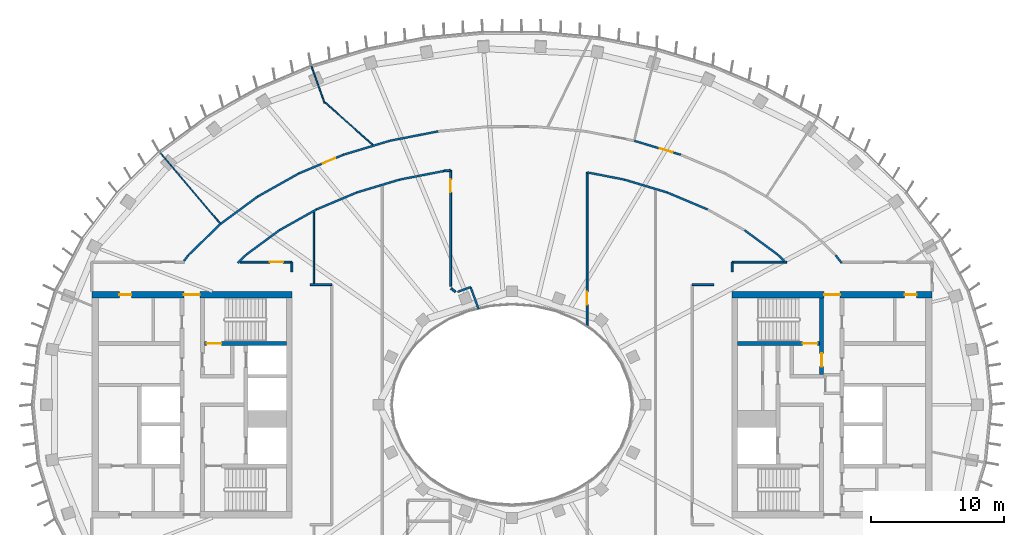
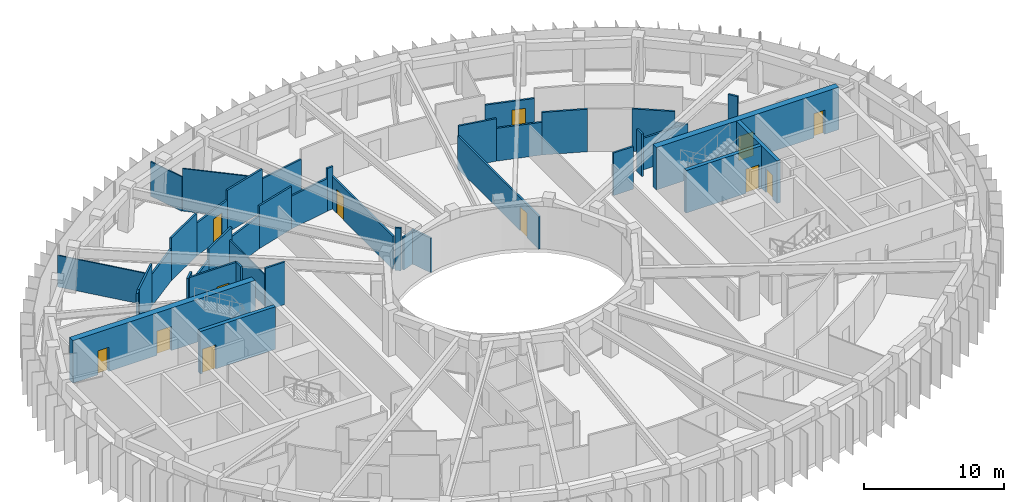
# One storey, part 6 of 13: 41 walls, 12 doors, 12 openings.
"""IFC4 building model written with IfcOpenShell, lengths in metres."""

from ifc_helpers import new_model, si_unit, direction, frame, frame_2d, origin, place, context, subcontext, project, spatial, rectangle, extrude, material, layer, layer_set, type_object, element, fill, save


model = new_model("IFC4")

# Units and contexts
model_context = context("Model", 3, precision=1e-05, world=origin(), true_north=direction((0.0, 1.0)))
body_context = subcontext(model_context, "Body", "Model", "MODEL_VIEW")
ifc_project = project(units=[si_unit("LENGTHUNIT", "METRE"), si_unit("AREAUNIT", "SQUARE_METRE"), si_unit("VOLUMEUNIT", "CUBIC_METRE"), si_unit("PLANEANGLEUNIT", "RADIAN"), si_unit("MASSUNIT", "GRAM", prefix="KILO")], contexts=[model_context])

# Site, building, storey
site_placement = place(None, origin())
site = spatial("IfcSite", under=ifc_project, at=site_placement, CompositionType="ELEMENT")
building_placement = place(site_placement, origin())
building = spatial("IfcBuilding", under=site, at=building_placement, Name="Noorbagh Ring Tower", CompositionType="ELEMENT")
storey_placement = place(building_placement, frame((0.0, 0.0, 327.0)))
storey = spatial("IfcBuildingStorey", under=building, at=storey_placement, Name="L71", CompositionType="ELEMENT", Elevation=327.0)

# Wall, opening, door
ifc_material_1 = material(Name="Concrete C50/60", Category="concrete")
ifc_layer_1 = layer(ifc_material_1, 0.300048828125)
ifc_layer_set_1 = layer_set([ifc_layer_1], Name="Concrete C50/60")
wall_type_1 = type_object("IfcWallType", Name="CORE-WALL-300-C50-60-EI240", PredefinedType="SHEAR", material=ifc_layer_set_1)
wall_1_placement = place(storey_placement, frame((-16.89990234375, 4.60009765625, 0.0), z_axis=(0.0, 0.0, 1.0), x_axis=(-1.0, 0.0, 0.0)))
wall_1 = element("IfcWall", 1, at=wall_1_placement, inside=storey, type_object=wall_type_1, Name="Core wall W", PredefinedType="SHEAR", context=body_context, shape_type="SweptSolid", body=[
    extrude(rectangle(XDim=6.18017578125, YDim=0.300048828125, at=frame_2d((3.090087890625, 0.0))), origin(), (0.0, 0.0, 1.0), 3.699951171875),
])
opening_1_placement = place(wall_1_placement, frame((4.89990234375, 0.0, 0.0)))
opening_1 = element("IfcOpeningElement", 2, at=opening_1_placement, cuts=wall_1, Name="Opening L71-CW05", PredefinedType="OPENING", context=body_context, shape_type="SweptSolid", body=[
    extrude(rectangle(XDim=1.10009765625, YDim=2.10009765625, at=frame_2d((0.550048828125, 1.050048828125))), frame((0.0, 0.16015625, 0.0), z_axis=(0.0, -1.0, 0.0), x_axis=(1.0, 0.0, 0.0)), (0.0, 0.0, 1.0), 0.320068359375),
])
ifc_material_2 = material(Name="Steel door leaf", Category="steel")
door_type_1 = type_object("IfcDoorType", Name="CORE-DOOR-DSTAIR", OperationType="SINGLE_SWING_LEFT", PredefinedType="DOOR", material=ifc_material_2)
door_1_placement = place(opening_1_placement, origin())
door_1 = element("IfcDoor", 3, at=door_1_placement, inside=storey, type_object=door_type_1, Name="Stair door ST1 L71-CW05", OperationType="SINGLE_SWING_RIGHT", OverallHeight=2.10009765625, OverallWidth=1.10009765625, PredefinedType="DOOR", context=body_context, shape_type="SweptSolid", body=[
    extrude(rectangle(XDim=1.10009765625, YDim=2.10009765625, at=frame_2d((0.550048828125, 1.050048828125))), frame((0.0, 0.02490234375, 0.0), z_axis=(0.0, -1.0, 0.0), x_axis=(1.0, 0.0, 0.0)), (0.0, 0.0, 1.0), 0.050048828125),
])
fill(opening_1, door_1)

wall_2_placement = place(storey_placement, frame((23.22998046875, 2.25, 0.0), z_axis=(0.0, 0.0, 1.0), x_axis=(0.0, 1.0, 0.0)))
wall_2 = element("IfcWall", 4, at=wall_2_placement, inside=storey, type_object=wall_type_1, Name="Core wall E", PredefinedType="SHEAR", context=body_context, shape_type="SweptSolid", body=[
    extrude(rectangle(XDim=5.75, YDim=0.300048828125, at=frame_2d((2.875, 0.0))), origin(), (0.0, 0.0, 1.0), 3.699951171875),
])
opening_2_placement = place(wall_2_placement, frame((0.60009765625, 0.0, 0.0)))
opening_2 = element("IfcOpeningElement", 5, at=opening_2_placement, cuts=wall_2, Name="Opening L71-CE07", PredefinedType="OPENING", context=body_context, shape_type="SweptSolid", body=[
    extrude(rectangle(XDim=1.0, YDim=2.10009765625, at=frame_2d((0.5, 1.050048828125))), frame((0.0, 0.16015625, 0.0), z_axis=(0.0, -1.0, 0.0), x_axis=(1.0, 0.0, 0.0)), (0.0, 0.0, 1.0), 0.320068359375),
])
ifc_material_3 = material(Name="Steel door leaf", Category="steel")
door_type_2 = type_object("IfcDoorType", Name="CORE-DOOR-DVEST", OperationType="SINGLE_SWING_LEFT", PredefinedType="DOOR", material=ifc_material_3)
door_2_placement = place(opening_2_placement, origin())
door_2 = element("IfcDoor", 6, at=door_2_placement, inside=storey, type_object=door_type_2, Name="Stair vestibule door L71-CE07", OperationType="SINGLE_SWING_RIGHT", OverallHeight=2.10009765625, OverallWidth=1.0, PredefinedType="DOOR", context=body_context, shape_type="SweptSolid", body=[
    extrude(rectangle(XDim=1.0, YDim=2.10009765625, at=frame_2d((0.5, 1.050048828125))), frame((0.0, 0.02490234375, 0.0), z_axis=(0.0, -1.0, 0.0), x_axis=(1.0, 0.0, 0.0)), (0.0, 0.0, 1.0), 0.050048828125),
])
fill(opening_2, door_2)

wall_3_placement = place(storey_placement, frame((16.89990234375, 4.60009765625, 0.0), z_axis=(0.0, 0.0, 1.0), x_axis=(1.0, 0.0, 0.0)))
wall_3 = element("IfcWall", 7, at=wall_3_placement, inside=storey, type_object=wall_type_1, Name="Core wall E", PredefinedType="SHEAR", context=body_context, shape_type="SweptSolid", body=[
    extrude(rectangle(XDim=6.18017578125, YDim=0.300048828125, at=frame_2d((3.090087890625, 0.0))), origin(), (0.0, 0.0, 1.0), 3.699951171875),
])
opening_3_placement = place(wall_3_placement, frame((4.89990234375, 0.0, 0.0)))
opening_3 = element("IfcOpeningElement", 8, at=opening_3_placement, cuts=wall_3, Name="Opening L71-CE04", PredefinedType="OPENING", context=body_context, shape_type="SweptSolid", body=[
    extrude(rectangle(XDim=1.10009765625, YDim=2.10009765625, at=frame_2d((0.550048828125, 1.050048828125))), frame((0.0, 0.16015625, 0.0), z_axis=(0.0, -1.0, 0.0), x_axis=(1.0, 0.0, 0.0)), (0.0, 0.0, 1.0), 0.320068359375),
])
door_3_placement = place(opening_3_placement, origin())
door_3 = element("IfcDoor", 9, at=door_3_placement, inside=storey, type_object=door_type_1, Name="Stair door ST3 L71-CE04", OperationType="SINGLE_SWING_LEFT", OverallHeight=2.10009765625, OverallWidth=1.10009765625, PredefinedType="DOOR", context=body_context, shape_type="SweptSolid", body=[
    extrude(rectangle(XDim=1.10009765625, YDim=2.10009765625, at=frame_2d((0.550048828125, 1.050048828125))), frame((0.0, 0.02490234375, 0.0), z_axis=(0.0, -1.0, 0.0), x_axis=(1.0, 0.0, 0.0)), (0.0, 0.0, 1.0), 0.050048828125),
])
fill(opening_3, door_3)

# Wall, openings, doors
ifc_material_4 = material(Name="Concrete C50/60", Category="concrete")
ifc_layer_2 = layer(ifc_material_4, 0.5)
ifc_layer_set_2 = layer_set([ifc_layer_2], Name="Concrete C50/60")
wall_type_2 = type_object("IfcWallType", Name="CORE-WALL-500-C50-60-EI240", PredefinedType="SHEAR", material=ifc_layer_set_2)
wall_4_placement = place(storey_placement, frame((-16.5, 8.25, 0.0), z_axis=(0.0, 0.0, 1.0), x_axis=(-1.0, 0.0, 0.0)))
wall_4 = element("IfcWall", 10, at=wall_4_placement, inside=storey, type_object=wall_type_2, Name="Core wall W", PredefinedType="SHEAR", context=body_context, shape_type="SweptSolid", body=[
    extrude(rectangle(XDim=15.0, YDim=0.5, at=frame_2d((7.5, 0.0))), origin(), (0.0, 0.0, 1.0), 3.699951171875),
])
opening_4_placement = place(wall_4_placement, frame((6.89990234375, 0.0, 0.0)))
opening_4 = element("IfcOpeningElement", 11, at=opening_4_placement, cuts=wall_4, Name="Opening L71-CW09", PredefinedType="OPENING", context=body_context, shape_type="SweptSolid", body=[
    extrude(rectangle(XDim=1.199951171875, YDim=2.10009765625, at=frame_2d((0.60009765625, 1.050048828125))), frame((0.0, 0.260009765625, 0.0), z_axis=(0.0, -1.0, 0.0), x_axis=(1.0, 0.0, 0.0)), (0.0, 0.0, 1.0), 0.52001953125),
])
opening_5_placement = place(wall_4_placement, frame((12.050048828125, 0.0, 0.0)))
opening_5 = element("IfcOpeningElement", 12, at=opening_5_placement, cuts=wall_4, Name="Opening L71-CW13", PredefinedType="OPENING", context=body_context, shape_type="SweptSolid", body=[
    extrude(rectangle(XDim=0.89990234375, YDim=2.10009765625, at=frame_2d((0.449951171875, 1.050048828125))), frame((0.0, 0.260009765625, 0.0), z_axis=(0.0, -1.0, 0.0), x_axis=(1.0, 0.0, 0.0)), (0.0, 0.0, 1.0), 0.52001953125),
])
ifc_material_5 = material(Name="Steel door leaf", Category="steel")
door_type_3 = type_object("IfcDoorType", Name="CORE-DOOR-DROOM", OperationType="SINGLE_SWING_LEFT", PredefinedType="DOOR", material=ifc_material_5)
door_4_placement = place(opening_5_placement, origin())
door_4 = element("IfcDoor", 13, at=door_4_placement, inside=storey, type_object=door_type_3, Name="Core room door L71-CW13", OperationType="SINGLE_SWING_RIGHT", OverallHeight=2.10009765625, OverallWidth=0.89990234375, PredefinedType="DOOR", context=body_context, shape_type="SweptSolid", body=[
    extrude(rectangle(XDim=0.89990234375, YDim=2.10009765625, at=frame_2d((0.449951171875, 1.050048828125))), frame((0.0, 0.02490234375, 0.0), z_axis=(0.0, -1.0, 0.0), x_axis=(1.0, 0.0, 0.0)), (0.0, 0.0, 1.0), 0.050048828125),
])
fill(opening_5, door_4)
ifc_material_6 = material(Name="Steel door leaf", Category="steel")
door_type_4 = type_object("IfcDoorType", Name="CORE-DOOR-PORT", OperationType="DOUBLE_DOOR_DOUBLE_SWING", PredefinedType="DOOR", material=ifc_material_6)
door_5_placement = place(opening_4_placement, origin())
door_5 = element("IfcDoor", 14, at=door_5_placement, inside=storey, type_object=door_type_4, Name="Core entrance door L71-CW09", OperationType="DOUBLE_DOOR_DOUBLE_SWING", OverallHeight=2.10009765625, OverallWidth=1.199951171875, PredefinedType="DOOR", context=body_context, shape_type="SweptSolid", body=[
    extrude(rectangle(XDim=1.199951171875, YDim=2.10009765625, at=frame_2d((0.60009765625, 1.050048828125))), frame((0.0, 0.02490234375, 0.0), z_axis=(0.0, -1.0, 0.0), x_axis=(1.0, 0.0, 0.0)), (0.0, 0.0, 1.0), 0.050048828125),
])
fill(opening_4, door_5)

wall_5_placement = place(storey_placement, frame((16.5, 8.25, 0.0), z_axis=(0.0, 0.0, 1.0), x_axis=(1.0, 0.0, 0.0)))
wall_5 = element("IfcWall", 15, at=wall_5_placement, inside=storey, type_object=wall_type_2, Name="Core wall E", PredefinedType="SHEAR", context=body_context, shape_type="SweptSolid", body=[
    extrude(rectangle(XDim=15.0, YDim=0.5, at=frame_2d((7.5, 0.0))), origin(), (0.0, 0.0, 1.0), 3.699951171875),
])
opening_6_placement = place(wall_5_placement, frame((6.89990234375, 0.0, 0.0)))
opening_6 = element("IfcOpeningElement", 16, at=opening_6_placement, cuts=wall_5, Name="Opening L71-CE08", PredefinedType="OPENING", context=body_context, shape_type="SweptSolid", body=[
    extrude(rectangle(XDim=1.199951171875, YDim=2.10009765625, at=frame_2d((0.60009765625, 1.050048828125))), frame((0.0, 0.260009765625, 0.0), z_axis=(0.0, -1.0, 0.0), x_axis=(1.0, 0.0, 0.0)), (0.0, 0.0, 1.0), 0.52001953125),
])
opening_7_placement = place(wall_5_placement, frame((12.949951171875, 0.0, 0.0)))
opening_7 = element("IfcOpeningElement", 17, at=opening_7_placement, cuts=wall_5, Name="Opening L71-CE14", PredefinedType="OPENING", context=body_context, shape_type="SweptSolid", body=[
    extrude(rectangle(XDim=0.89990234375, YDim=2.10009765625, at=frame_2d((0.449951171875, 1.050048828125))), frame((0.0, 0.260009765625, 0.0), z_axis=(0.0, -1.0, 0.0), x_axis=(1.0, 0.0, 0.0)), (0.0, 0.0, 1.0), 0.52001953125),
])
door_6_placement = place(opening_7_placement, origin())
door_6 = element("IfcDoor", 18, at=door_6_placement, inside=storey, type_object=door_type_3, Name="Core room door L71-CE14", OperationType="SINGLE_SWING_LEFT", OverallHeight=2.10009765625, OverallWidth=0.89990234375, PredefinedType="DOOR", context=body_context, shape_type="SweptSolid", body=[
    extrude(rectangle(XDim=0.89990234375, YDim=2.10009765625, at=frame_2d((0.449951171875, 1.050048828125))), frame((0.0, 0.02490234375, 0.0), z_axis=(0.0, -1.0, 0.0), x_axis=(1.0, 0.0, 0.0)), (0.0, 0.0, 1.0), 0.050048828125),
])
fill(opening_7, door_6)
door_7_placement = place(opening_6_placement, origin())
door_7 = element("IfcDoor", 19, at=door_7_placement, inside=storey, type_object=door_type_4, Name="Core entrance door L71-CE08", OperationType="DOUBLE_DOOR_DOUBLE_SWING", OverallHeight=2.10009765625, OverallWidth=1.199951171875, PredefinedType="DOOR", context=body_context, shape_type="SweptSolid", body=[
    extrude(rectangle(XDim=1.199951171875, YDim=2.10009765625, at=frame_2d((0.60009765625, 1.050048828125))), frame((0.0, 0.02490234375, 0.0), z_axis=(0.0, -1.0, 0.0), x_axis=(1.0, 0.0, 0.0)), (0.0, 0.0, 1.0), 0.050048828125),
])
fill(opening_6, door_7)

# Walls
ifc_material_7 = material(Name="Gypsum board on steel studs", Category="steel")
ifc_layer_3 = layer(ifc_material_7, 0.14990234375)
ifc_layer_set_3 = layer_set([ifc_layer_3], Name="Gypsum board on steel studs")
wall_type_3 = type_object("IfcWallType", Name="CORRIDOR PARTITION 150 EI 30", PredefinedType="PARTITIONING", material=ifc_layer_set_3)
wall_6_placement = place(storey_placement, frame((-24.60400390625, 10.77490234375, 0.0), z_axis=(0.0, 0.0, 1.0), x_axis=(0.603565414118, 0.797313483443, 0.0)))
element("IfcWall", 20, at=wall_6_placement, inside=storey, type_object=wall_type_3, Name="L71/wall/P09", PredefinedType="PARTITIONING", context=body_context, shape_type="SweptSolid", body=[
    extrude(rectangle(XDim=0.546875, YDim=0.14990234375, at=frame_2d((0.2734375, 0.0))), origin(), (0.0, 0.0, 1.0), 3.699951171875),
])
wall_7_placement = place(storey_placement, frame((-24.27392578125, 11.2109375, 0.0), z_axis=(0.0, 0.0, 1.0), x_axis=(0.717187581136, 0.696880171525, 0.0)))
element("IfcWall", 21, at=wall_7_placement, inside=storey, type_object=wall_type_3, Name="L71/wall/P11", PredefinedType="PARTITIONING", context=body_context, shape_type="SweptSolid", body=[
    extrude(rectangle(XDim=3.34228515625, YDim=0.14990234375, at=frame_2d((1.671142578125, 0.0))), origin(), (0.0, 0.0, 1.0), 3.699951171875),
])
wall_8_placement = place(storey_placement, frame((-21.845947265625, 13.56591796875, 0.0), z_axis=(0.0, 0.0, 1.0), x_axis=(0.805162806562, 0.593053838137, 0.0)))
element("IfcWall", 22, at=wall_8_placement, inside=storey, type_object=wall_type_3, Name="L71/wall/P13", PredefinedType="PARTITIONING", context=body_context, shape_type="SweptSolid", body=[
    extrude(rectangle(XDim=3.441650390625, YDim=0.14990234375, at=frame_2d((1.720703125, 0.0))), origin(), (0.0, 0.0, 1.0), 2.75),
])
wall_9_placement = place(storey_placement, frame((-20.572021484375, 10.625, 0.0), z_axis=(0.0, 0.0, 1.0), x_axis=(0.716953986293, 0.697120492841, 0.0)))
element("IfcWall", 23, at=wall_9_placement, inside=storey, type_object=wall_type_3, Name="L71/wall/P16", PredefinedType="PARTITIONING", context=body_context, shape_type="SweptSolid", body=[
    extrude(rectangle(XDim=0.910888671875, YDim=0.14990234375, at=frame_2d((0.45556640625, 0.0))), origin(), (0.0, 0.0, 1.0), 3.699951171875),
])

# Wall, opening, door
wall_10_placement = place(storey_placement, frame((-20.386962890625, 10.699951171875, 0.0), z_axis=(0.0, 0.0, 1.0), x_axis=(1.0, 0.0, 0.0)))
wall_10 = element("IfcWall", 24, at=wall_10_placement, inside=storey, type_object=wall_type_3, Name="L71/wall/P17", PredefinedType="PARTITIONING", context=body_context, shape_type="SweptSolid", body=[
    extrude(rectangle(XDim=3.886962890625, YDim=0.14990234375, at=frame_2d((1.943359375, 0.0))), origin(), (0.0, 0.0, 1.0), 3.699951171875),
])
opening_8_placement = place(wall_10_placement, frame((2.237060546875, 0.0, 0.0)))
opening_8 = element("IfcOpeningElement", 25, at=opening_8_placement, cuts=wall_10, Name="Opening D1", PredefinedType="OPENING", context=body_context, shape_type="SweptSolid", body=[
    extrude(rectangle(XDim=1.0, YDim=2.10009765625, at=frame_2d((0.5, 1.050048828125))), frame((0.0, 0.0849609375, 0.0), z_axis=(0.0, -1.0, 0.0), x_axis=(1.0, 0.0, 0.0)), (0.0, 0.0, 1.0), 0.169921875),
])
ifc_material_8 = material(Name="Timber, painted", Category="wood")
door_type_5 = type_object("IfcDoorType", Name="DOOR 1000 X 2100 FD30", OperationType="SINGLE_SWING_LEFT", PredefinedType="DOOR", material=ifc_material_8)
door_8_placement = place(opening_8_placement, origin())
door_8 = element("IfcDoor", 26, at=door_8_placement, inside=storey, type_object=door_type_5, Name="L71-D21", OperationType="SINGLE_SWING_LEFT", OverallHeight=2.10009765625, OverallWidth=1.0, PredefinedType="DOOR", context=body_context, shape_type="SweptSolid", body=[
    extrude(rectangle(XDim=1.0, YDim=2.10009765625, at=frame_2d((0.5, 1.050048828125))), frame((0.0, 0.02490234375, 0.0), z_axis=(0.0, -1.0, 0.0), x_axis=(1.0, 0.0, 0.0)), (0.0, 0.0, 1.0), 0.050048828125),
])
fill(opening_8, door_8)

# Walls
wall_11_placement = place(storey_placement, frame((-19.9189453125, 11.260009765625, 0.0), z_axis=(0.0, 0.0, 1.0), x_axis=(0.805185638843, 0.593022838516, 0.0)))
element("IfcWall", 27, at=wall_11_placement, inside=storey, type_object=wall_type_3, Name="L71/wall/P19", PredefinedType="PARTITIONING", context=body_context, shape_type="SweptSolid", body=[
    extrude(rectangle(XDim=3.072509765625, YDim=0.14990234375, at=frame_2d((1.5361328125, 0.0))), origin(), (0.0, 0.0, 1.0), 2.75),
])
wall_12_placement = place(storey_placement, frame((-19.074951171875, 15.60693359375, 0.0), z_axis=(0.0, 0.0, 1.0), x_axis=(0.871928573965, 0.489633089062, 0.0)))
element("IfcWall", 28, at=wall_12_placement, inside=storey, type_object=wall_type_3, Name="L71/wall/P21", PredefinedType="PARTITIONING", context=body_context, shape_type="SweptSolid", body=[
    extrude(rectangle(XDim=3.543701171875, YDim=0.14990234375, at=frame_2d((1.77197265625, 0.0))), origin(), (0.0, 0.0, 1.0), 3.699951171875),
])
wall_13_placement = place(storey_placement, frame((-17.445068359375, 13.08203125, 0.0), z_axis=(0.0, 0.0, 1.0), x_axis=(0.872072095629, 0.489377420837, 0.0)))
element("IfcWall", 29, at=wall_13_placement, inside=storey, type_object=wall_type_3, Name="L71/wall/P24", PredefinedType="PARTITIONING", context=body_context, shape_type="SweptSolid", body=[
    extrude(rectangle(XDim=3.187744140625, YDim=0.14990234375, at=frame_2d((1.59375, 0.0))), origin(), (0.0, 0.0, 1.0), 3.699951171875),
])
wall_14_placement = place(storey_placement, frame((-16.5, 9.964111328125, 0.0), z_axis=(0.0, 0.0, 1.0), x_axis=(0.0, 1.0, 0.0)))
element("IfcWall", 30, at=wall_14_placement, inside=storey, type_object=wall_type_3, Name="L71/wall/P27", PredefinedType="PARTITIONING", context=body_context, shape_type="SweptSolid", body=[
    extrude(rectangle(XDim=0.73583984375, YDim=0.14990234375, at=frame_2d((0.367919921875, 0.0))), origin(), (0.0, 0.0, 1.0), 3.699951171875),
])

# Wall, opening, door
wall_15_placement = place(storey_placement, frame((-15.985107421875, 17.342041015625, 0.0), z_axis=(0.0, 0.0, 1.0), x_axis=(0.921887377252, 0.387457950833, 0.0)))
wall_15 = element("IfcWall", 31, at=wall_15_placement, inside=storey, type_object=wall_type_3, Name="L71/wall/P28", PredefinedType="PARTITIONING", context=body_context, shape_type="SweptSolid", body=[
    extrude(rectangle(XDim=3.60791015625, YDim=0.14990234375, at=frame_2d((1.803955078125, 0.0))), origin(), (0.0, 0.0, 1.0), 2.85009765625),
])
opening_9_placement = place(wall_15_placement, frame((1.9580078125, 0.0, 0.0)))
opening_9 = element("IfcOpeningElement", 32, at=opening_9_placement, cuts=wall_15, Name="Opening D1", PredefinedType="OPENING", context=body_context, shape_type="SweptSolid", body=[
    extrude(rectangle(XDim=1.0, YDim=2.10009765625, at=frame_2d((0.5, 1.050048828125))), frame((0.0, 0.0849609375, 0.0), z_axis=(0.0, -1.0, 0.0), x_axis=(1.0, 0.0, 0.0)), (0.0, 0.0, 1.0), 0.169921875),
])
door_9_placement = place(opening_9_placement, origin())
door_9 = element("IfcDoor", 33, at=door_9_placement, inside=storey, type_object=door_type_5, Name="L71-D09", OperationType="SINGLE_SWING_LEFT", OverallHeight=2.10009765625, OverallWidth=1.0, PredefinedType="DOOR", context=body_context, shape_type="SweptSolid", body=[
    extrude(rectangle(XDim=1.0, YDim=2.10009765625, at=frame_2d((0.5, 1.050048828125))), frame((0.0, 0.02490234375, 0.0), z_axis=(0.0, -1.0, 0.0), x_axis=(1.0, 0.0, 0.0)), (0.0, 0.0, 1.0), 0.050048828125),
])
fill(opening_9, door_9)

# Walls
wall_16_placement = place(storey_placement, frame((-15.134033203125, 9.0, 0.0), z_axis=(0.0, 0.0, 1.0), x_axis=(1.0, 0.0, 0.0)))
element("IfcWall", 34, at=wall_16_placement, inside=storey, type_object=wall_type_3, Name="L71/wall/P31", PredefinedType="PARTITIONING", context=body_context, shape_type="SweptSolid", body=[
    extrude(rectangle(XDim=1.634033203125, YDim=0.14990234375, at=frame_2d((0.81689453125, 0.0))), origin(), (0.0, 0.0, 1.0), 3.699951171875),
])
wall_17_placement = place(storey_placement, frame((-14.6650390625, 14.64208984375, 0.0), z_axis=(0.0, 0.0, 1.0), x_axis=(0.921789499058, 0.38769075231, 0.0)))
element("IfcWall", 35, at=wall_17_placement, inside=storey, type_object=wall_type_3, Name="L71/wall/P36", PredefinedType="PARTITIONING", context=body_context, shape_type="SweptSolid", body=[
    extrude(rectangle(XDim=3.2783203125, YDim=0.14990234375, at=frame_2d((1.63916015625, 0.0))), origin(), (0.0, 0.0, 1.0), 2.85009765625),
])
wall_18_placement = place(storey_placement, frame((-12.658935546875, 18.739990234375, 0.0), z_axis=(0.0, 0.0, 1.0), x_axis=(0.957557315887, 0.288242930166, 0.0)))
element("IfcWall", 36, at=wall_18_placement, inside=storey, type_object=wall_type_3, Name="L71/wall/P40", PredefinedType="PARTITIONING", context=body_context, shape_type="SweptSolid", body=[
    extrude(rectangle(XDim=3.653076171875, YDim=0.14990234375, at=frame_2d((1.82666015625, 0.0))), origin(), (0.0, 0.0, 1.0), 3.699951171875),
])
wall_19_placement = place(storey_placement, frame((-11.64306640625, 15.9130859375, 0.0), z_axis=(0.0, 0.0, 1.0), x_axis=(0.957584891346, 0.288151307243, 0.0)))
element("IfcWall", 37, at=wall_19_placement, inside=storey, type_object=wall_type_3, Name="L71/wall/P42", PredefinedType="PARTITIONING", context=body_context, shape_type="SweptSolid", body=[
    extrude(rectangle(XDim=3.344970703125, YDim=0.14990234375, at=frame_2d((1.67236328125, 0.0))), origin(), (0.0, 0.0, 1.0), 3.699951171875),
])
wall_20_placement = place(storey_placement, frame((-9.160888671875, 19.79296875, 0.0), z_axis=(0.0, 0.0, 1.0), x_axis=(0.981633657006, 0.19077568879, 0.0)))
element("IfcWall", 38, at=wall_20_placement, inside=storey, type_object=wall_type_3, Name="L71/wall/P45", PredefinedType="PARTITIONING", context=body_context, shape_type="SweptSolid", body=[
    extrude(rectangle(XDim=3.685546875, YDim=0.14990234375, at=frame_2d((1.8427734375, 0.0))), origin(), (0.0, 0.0, 1.0), 2.85009765625),
])
wall_21_placement = place(storey_placement, frame((-8.43994140625, 16.876953125, 0.0), z_axis=(0.0, 0.0, 1.0), x_axis=(0.981665220565, 0.190613207134, 0.0)))
element("IfcWall", 39, at=wall_21_placement, inside=storey, type_object=wall_type_3, Name="L71/wall/P47", PredefinedType="PARTITIONING", context=body_context, shape_type="SweptSolid", body=[
    extrude(rectangle(XDim=3.38916015625, YDim=0.14990234375, at=frame_2d((1.694580078125, 0.0))), origin(), (0.0, 0.0, 1.0), 2.85009765625),
])
wall_22_placement = place(storey_placement, frame((-5.113037109375, 17.52294921875, 0.0), z_axis=(0.0, 0.0, 1.0), x_axis=(0.995440908284, 0.095380281582, 0.0)))
element("IfcWall", 40, at=wall_22_placement, inside=storey, type_object=wall_type_3, Name="L71/wall/P57", PredefinedType="PARTITIONING", context=body_context, shape_type="SweptSolid", body=[
    extrude(rectangle(XDim=0.504150390625, YDim=0.14990234375, at=frame_2d((0.251953125, 0.0))), origin(), (0.0, 0.0, 1.0), 3.699951171875),
])

# Wall, opening, door
wall_23_placement = place(storey_placement, frame((-4.611083984375, 8.867919921875, 0.0), z_axis=(0.0, 0.0, 1.0), x_axis=(0.0, 1.0, 0.0)))
wall_23 = element("IfcWall", 41, at=wall_23_placement, inside=storey, type_object=wall_type_3, Name="L71/wall/P60", PredefinedType="PARTITIONING", context=body_context, shape_type="SweptSolid", body=[
    extrude(rectangle(XDim=8.698974609375, YDim=0.14990234375, at=frame_2d((4.349609375, 0.0))), origin(), (0.0, 0.0, 1.0), 2.85009765625),
])
opening_10_placement = place(wall_23_placement, frame((7.049072265625, 0.0, 0.0)))
opening_10 = element("IfcOpeningElement", 42, at=opening_10_placement, cuts=wall_23, Name="Opening D1", PredefinedType="OPENING", context=body_context, shape_type="SweptSolid", body=[
    extrude(rectangle(XDim=1.0, YDim=2.10009765625, at=frame_2d((0.5, 1.050048828125))), frame((0.0, 0.0849609375, 0.0), z_axis=(0.0, -1.0, 0.0), x_axis=(1.0, 0.0, 0.0)), (0.0, 0.0, 1.0), 0.169921875),
])
door_10_placement = place(opening_10_placement, origin())
door_10 = element("IfcDoor", 43, at=door_10_placement, inside=storey, type_object=door_type_5, Name="L71-D01", OperationType="SINGLE_SWING_LEFT", OverallHeight=2.10009765625, OverallWidth=1.0, PredefinedType="DOOR", context=body_context, shape_type="SweptSolid", body=[
    extrude(rectangle(XDim=1.0, YDim=2.10009765625, at=frame_2d((0.5, 1.050048828125))), frame((0.0, 0.02490234375, 0.0), z_axis=(0.0, -1.0, 0.0), x_axis=(1.0, 0.0, 0.0)), (0.0, 0.0, 1.0), 0.050048828125),
])
fill(opening_10, door_10)

# Walls
wall_24_placement = place(storey_placement, frame((-4.0849609375, 8.4580078125, 0.0), z_axis=(0.0, 0.0, 1.0), x_axis=(0.939093330707, 0.343662212386, 0.0)))
element("IfcWall", 44, at=wall_24_placement, inside=storey, type_object=wall_type_3, Name="L71/wall/P62", PredefinedType="PARTITIONING", context=body_context, shape_type="SweptSolid", body=[
    extrude(rectangle(XDim=1.04150390625, YDim=0.14990234375, at=frame_2d((0.520751953125, 0.0))), origin(), (0.0, 0.0, 1.0), 2.85009765625),
])
wall_25_placement = place(storey_placement, frame((-3.10693359375, 8.81591796875, 0.0), z_axis=(0.0, 0.0, 1.0), x_axis=(0.344406234928, -0.938820720555, 0.0)))
element("IfcWall", 45, at=wall_25_placement, inside=storey, type_object=wall_type_3, Name="L71/wall/P64", PredefinedType="PARTITIONING", context=body_context, shape_type="SweptSolid", body=[
    extrude(rectangle(XDim=1.7509765625, YDim=0.14990234375, at=frame_2d((0.87548828125, 0.0))), origin(), (0.0, 0.0, 1.0), 3.0),
])

# Wall, opening, door
wall_26_placement = place(storey_placement, frame((5.635986328125, 5.80908203125, 0.0), z_axis=(0.0, 0.0, 1.0), x_axis=(0.0, 1.0, 0.0)))
wall_26 = element("IfcWall", 46, at=wall_26_placement, inside=storey, type_object=wall_type_3, Name="L71/wall/P75", PredefinedType="PARTITIONING", context=body_context, shape_type="SweptSolid", body=[
    extrude(rectangle(XDim=11.60888671875, YDim=0.14990234375, at=frame_2d((5.804443359375, 0.0))), origin(), (0.0, 0.0, 1.0), 2.85009765625),
])
opening_11_placement = place(wall_26_placement, frame((1.674072265625, 0.0, 0.0)))
opening_11 = element("IfcOpeningElement", 47, at=opening_11_placement, cuts=wall_26, Name="Opening D1", PredefinedType="OPENING", context=body_context, shape_type="SweptSolid", body=[
    extrude(rectangle(XDim=1.0, YDim=2.10009765625, at=frame_2d((0.5, 1.050048828125))), frame((0.0, 0.0849609375, 0.0), z_axis=(0.0, -1.0, 0.0), x_axis=(1.0, 0.0, 0.0)), (0.0, 0.0, 1.0), 0.169921875),
])
door_11_placement = place(opening_11_placement, origin())
door_11 = element("IfcDoor", 48, at=door_11_placement, inside=storey, type_object=door_type_5, Name="L71-D23", OperationType="SINGLE_SWING_LEFT", OverallHeight=2.10009765625, OverallWidth=1.0, PredefinedType="DOOR", context=body_context, shape_type="SweptSolid", body=[
    extrude(rectangle(XDim=1.0, YDim=2.10009765625, at=frame_2d((0.5, 1.050048828125))), frame((0.0, 0.02490234375, 0.0), z_axis=(0.0, -1.0, 0.0), x_axis=(1.0, 0.0, 0.0)), (0.0, 0.0, 1.0), 0.050048828125),
])
fill(opening_11, door_11)

# Walls
wall_27_placement = place(storey_placement, frame((5.635986328125, 17.422119140625, 0.0), z_axis=(0.0, 0.0, 1.0), x_axis=(0.981618503301, -0.190853645439, 0.0)))
element("IfcWall", 49, at=wall_27_placement, inside=storey, type_object=wall_type_3, Name="L71/wall/P76", PredefinedType="PARTITIONING", context=body_context, shape_type="SweptSolid", body=[
    extrude(rectangle(XDim=2.8564453125, YDim=0.14990234375, at=frame_2d((1.42822265625, 0.0))), origin(), (0.0, 0.0, 1.0), 3.699951171875),
])
wall_28_placement = place(storey_placement, frame((8.43994140625, 16.876953125, 0.0), z_axis=(0.0, 0.0, 1.0), x_axis=(0.957584891346, -0.288151307243, 0.0)))
element("IfcWall", 50, at=wall_28_placement, inside=storey, type_object=wall_type_3, Name="L71/wall/P79", PredefinedType="PARTITIONING", context=body_context, shape_type="SweptSolid", body=[
    extrude(rectangle(XDim=3.344970703125, YDim=0.14990234375, at=frame_2d((1.67236328125, 0.0))), origin(), (0.0, 0.0, 1.0), 2.85009765625),
])

# Wall, opening, door
wall_29_placement = place(storey_placement, frame((9.179931640625, 19.787109375, 0.0), z_axis=(0.0, 0.0, 1.0), x_axis=(0.957566969511, -0.288210858402, 0.0)))
wall_29 = element("IfcWall", 51, at=wall_29_placement, inside=storey, type_object=wall_type_3, Name="L71/wall/P82", PredefinedType="PARTITIONING", context=body_context, shape_type="SweptSolid", body=[
    extrude(rectangle(XDim=3.633056640625, YDim=0.14990234375, at=frame_2d((1.81640625, 0.0))), origin(), (0.0, 0.0, 1.0), 2.85009765625),
])
opening_12_placement = place(wall_29_placement, frame((1.983154296875, 0.0, 0.0)))
opening_12 = element("IfcOpeningElement", 52, at=opening_12_placement, cuts=wall_29, Name="Opening D1", PredefinedType="OPENING", context=body_context, shape_type="SweptSolid", body=[
    extrude(rectangle(XDim=1.0, YDim=2.10009765625, at=frame_2d((0.5, 1.050048828125))), frame((0.0, 0.0849609375, 0.0), z_axis=(0.0, -1.0, 0.0), x_axis=(1.0, 0.0, 0.0)), (0.0, 0.0, 1.0), 0.169921875),
])
door_12_placement = place(opening_12_placement, origin())
door_12 = element("IfcDoor", 53, at=door_12_placement, inside=storey, type_object=door_type_5, Name="L71-D15", OperationType="SINGLE_SWING_LEFT", OverallHeight=2.10009765625, OverallWidth=1.0, PredefinedType="DOOR", context=body_context, shape_type="SweptSolid", body=[
    extrude(rectangle(XDim=1.0, YDim=2.10009765625, at=frame_2d((0.5, 1.050048828125))), frame((0.0, 0.02490234375, 0.0), z_axis=(0.0, -1.0, 0.0), x_axis=(1.0, 0.0, 0.0)), (0.0, 0.0, 1.0), 0.050048828125),
])
fill(opening_12, door_12)

# Walls
wall_30_placement = place(storey_placement, frame((11.64306640625, 15.9130859375, 0.0), z_axis=(0.0, 0.0, 1.0), x_axis=(0.921789499058, -0.38769075231, 0.0)))
element("IfcWall", 54, at=wall_30_placement, inside=storey, type_object=wall_type_3, Name="L71/wall/P85", PredefinedType="PARTITIONING", context=body_context, shape_type="SweptSolid", body=[
    extrude(rectangle(XDim=3.2783203125, YDim=0.14990234375, at=frame_2d((1.63916015625, 0.0))), origin(), (0.0, 0.0, 1.0), 3.699951171875),
])
wall_31_placement = place(storey_placement, frame((13.5, 9.0, 0.0), z_axis=(0.0, 0.0, 1.0), x_axis=(1.0, 0.0, 0.0)))
element("IfcWall", 55, at=wall_31_placement, inside=storey, type_object=wall_type_3, Name="L71/wall/P90", PredefinedType="PARTITIONING", context=body_context, shape_type="SweptSolid", body=[
    extrude(rectangle(XDim=1.634033203125, YDim=0.14990234375, at=frame_2d((0.81689453125, 0.0))), origin(), (0.0, 0.0, 1.0), 3.699951171875),
])
wall_32_placement = place(storey_placement, frame((16.5, 9.964111328125, 0.0), z_axis=(0.0, 0.0, 1.0), x_axis=(0.0, 1.0, 0.0)))
element("IfcWall", 56, at=wall_32_placement, inside=storey, type_object=wall_type_3, Name="L71/wall/P98", PredefinedType="PARTITIONING", context=body_context, shape_type="SweptSolid", body=[
    extrude(rectangle(XDim=0.73583984375, YDim=0.14990234375, at=frame_2d((0.367919921875, 0.0))), origin(), (0.0, 0.0, 1.0), 3.699951171875),
])
wall_33_placement = place(storey_placement, frame((16.5, 10.699951171875, 0.0), z_axis=(0.0, 0.0, 1.0), x_axis=(1.0, 0.0, 0.0)))
element("IfcWall", 57, at=wall_33_placement, inside=storey, type_object=wall_type_3, Name="L71/wall/P99", PredefinedType="PARTITIONING", context=body_context, shape_type="SweptSolid", body=[
    extrude(rectangle(XDim=4.10302734375, YDim=0.14990234375, at=frame_2d((2.051513671875, 0.0))), origin(), (0.0, 0.0, 1.0), 2.75),
])
wall_34_placement = place(storey_placement, frame((17.445068359375, 13.08203125, 0.0), z_axis=(0.0, 0.0, 1.0), x_axis=(0.805185638843, -0.593022838516, 0.0)))
element("IfcWall", 58, at=wall_34_placement, inside=storey, type_object=wall_type_3, Name="L71/wall/P101", PredefinedType="PARTITIONING", context=body_context, shape_type="SweptSolid", body=[
    extrude(rectangle(XDim=3.072509765625, YDim=0.14990234375, at=frame_2d((1.5361328125, 0.0))), origin(), (0.0, 0.0, 1.0), 3.699951171875),
])
wall_35_placement = place(storey_placement, frame((19.9189453125, 11.260009765625, 0.0), z_axis=(0.0, 0.0, 1.0), x_axis=(0.717033879939, -0.697038316751, 0.0)))
element("IfcWall", 59, at=wall_35_placement, inside=storey, type_object=wall_type_3, Name="L71/wall/P106", PredefinedType="PARTITIONING", context=body_context, shape_type="SweptSolid", body=[
    extrude(rectangle(XDim=0.696044921875, YDim=0.14990234375, at=frame_2d((0.34814453125, 0.0))), origin(), (0.0, 0.0, 1.0), 2.75),
])
wall_36_placement = place(storey_placement, frame((24.27392578125, 11.2109375, 0.0), z_axis=(0.0, 0.0, 1.0), x_axis=(0.604030294549, -0.796961356194, 0.0)))
element("IfcWall", 60, at=wall_36_placement, inside=storey, type_object=wall_type_3, Name="L71/wall/P109", PredefinedType="PARTITIONING", context=body_context, shape_type="SweptSolid", body=[
    extrude(rectangle(XDim=0.735107421875, YDim=0.14990234375, at=frame_2d((0.36767578125, 0.0))), origin(), (0.0, 0.0, 1.0), 3.699951171875),
])
wall_37_placement = place(storey_placement, frame((-4.570068359375, 8.72412109375, 0.0), z_axis=(0.0, 0.0, 1.0), x_axis=(0.785204948189, -0.61923597226, 0.0)))
element("IfcWall", 61, at=wall_37_placement, inside=storey, type_object=wall_type_3, Name="L71/wall/P118", PredefinedType="PARTITIONING", context=body_context, shape_type="SweptSolid", body=[
    extrude(rectangle(XDim=0.426513671875, YDim=0.14990234375, at=frame_2d((0.21337890625, 0.0))), origin(), (0.0, 0.0, 1.0), 3.699951171875),
])
ifc_material_9 = material(Name="Gypsum board on steel studs", Category="steel")
ifc_layer_4 = layer(ifc_material_9, 0.10009765625)
ifc_layer_set_4 = layer_set([ifc_layer_4], Name="Gypsum board on steel studs")
wall_type_4 = type_object("IfcWallType", Name="PARTITION 100 GYPSUM", PredefinedType="PARTITIONING", material=ifc_layer_set_4)
wall_38_placement = place(storey_placement, frame((-26.429931640625, 18.945068359375, 0.0), z_axis=(0.0, 0.0, 1.0), x_axis=(0.646413241151, -0.762987497712, 0.0)))
element("IfcWall", 62, at=wall_38_placement, inside=storey, type_object=wall_type_4, Name="L71/wall/P07", PredefinedType="PARTITIONING", context=body_context, shape_type="SweptSolid", body=[
    extrude(rectangle(XDim=7.06201171875, YDim=0.10009765625, at=frame_2d((3.531005859375, 0.0))), origin(), (0.0, 0.0, 1.0), 2.75),
])
wall_39_placement = place(storey_placement, frame((-15.048095703125, 25.383056640625, 0.0), z_axis=(0.0, 0.0, 1.0), x_axis=(0.33820910071, -0.941070987863, 0.0)))
element("IfcWall", 63, at=wall_39_placement, inside=storey, type_object=wall_type_4, Name="L71/wall/P32", PredefinedType="PARTITIONING", context=body_context, shape_type="SweptSolid", body=[
    extrude(rectangle(XDim=2.9306640625, YDim=0.10009765625, at=frame_2d((1.46533203125, 0.0))), origin(), (0.0, 0.0, 1.0), 3.0),
])
wall_40_placement = place(storey_placement, frame((-14.85888671875, 9.074951171875, 0.0), z_axis=(0.0, 0.0, 1.0), x_axis=(0.0, 1.0, 0.0)))
element("IfcWall", 64, at=wall_40_placement, inside=storey, type_object=wall_type_4, Name="L71/wall/P34", PredefinedType="PARTITIONING", context=body_context, shape_type="SweptSolid", body=[
    extrude(rectangle(XDim=5.3681640625, YDim=0.10009765625, at=frame_2d((2.68408203125, 0.0))), origin(), (0.0, 0.0, 1.0), 2.75),
])
wall_41_placement = place(storey_placement, frame((-14.013916015625, 22.654052734375, 0.0), z_axis=(0.0, 0.0, 1.0), x_axis=(0.74900924775, -0.662559542068, 0.0)))
element("IfcWall", 65, at=wall_41_placement, inside=storey, type_object=wall_type_4, Name="L71/wall/P37", PredefinedType="PARTITIONING", context=body_context, shape_type="SweptSolid", body=[
    extrude(rectangle(XDim=4.775634765625, YDim=0.10009765625, at=frame_2d((2.3876953125, 0.0))), origin(), (0.0, 0.0, 1.0), 3.699951171875),
])

save(model, "model.ifc")
